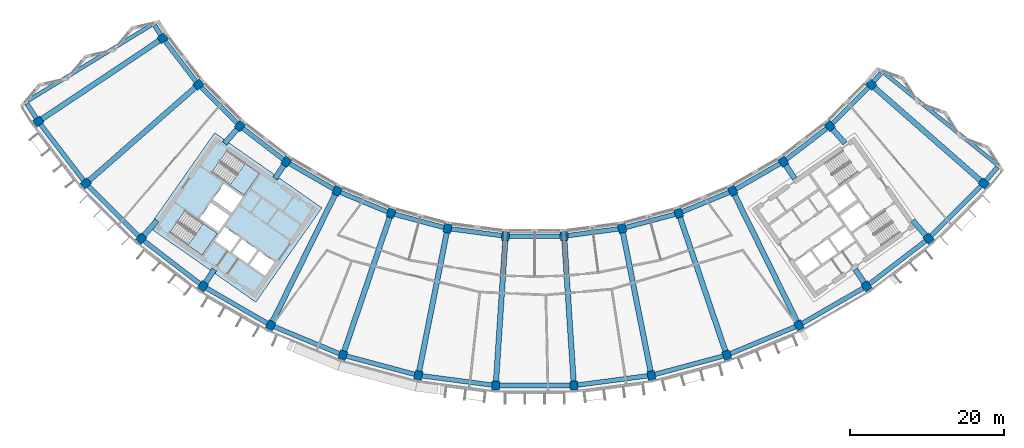
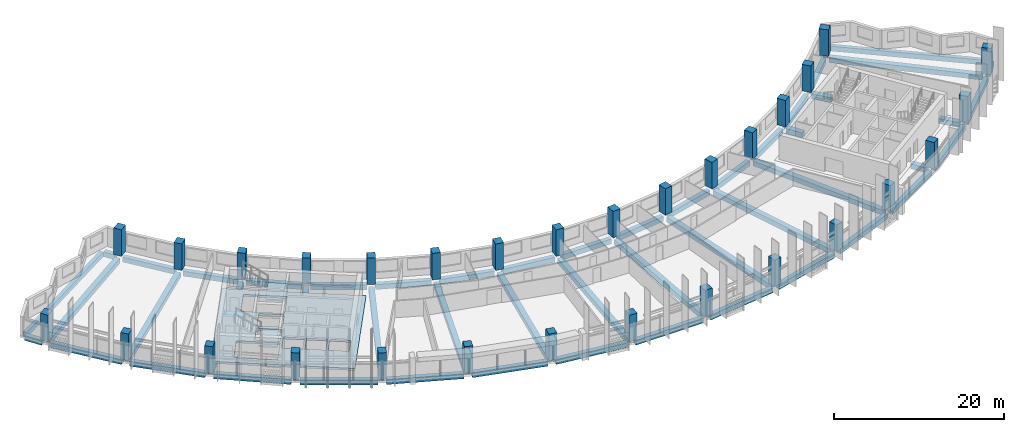
# One storey, part 1 of 28: 53 beams, 30 columns, 3 slabs, 2 elements without a shape of their own.
"""IFC4 building model written with IfcOpenShell, lengths in metres."""

from ifc_helpers import new_model, si_unit, direction, frame, origin, origin_2d, place, context, subcontext, project, spatial, polyline, rectangle, outline, extrude, material, layer, layer_set, material_profile, profile_set, type_object, element, aggregate, save


model = new_model("IFC4")

# Units and contexts
model_context = context("Model", 3, precision=1e-05, world=origin(), true_north=direction((0.0, 1.0)))
body_context = subcontext(model_context, "Body", "Model", "MODEL_VIEW")
ifc_project = project(units=[si_unit("LENGTHUNIT", "METRE"), si_unit("AREAUNIT", "SQUARE_METRE"), si_unit("VOLUMEUNIT", "CUBIC_METRE"), si_unit("PLANEANGLEUNIT", "RADIAN"), si_unit("MASSUNIT", "GRAM", prefix="KILO")], contexts=[model_context])

# Site, building, storey
site_placement = place(None, origin())
site = spatial("IfcSite", under=ifc_project, at=site_placement, CompositionType="ELEMENT")
building_placement = place(site_placement, origin())
building = spatial("IfcBuilding", under=site, at=building_placement, Name="Qamariyya Broadcast Tower", CompositionType="ELEMENT")
storey_placement = place(building_placement, frame((0.0, 0.0, 234.10009765625)))
storey = spatial("IfcBuildingStorey", under=building, at=storey_placement, Name="L56", CompositionType="ELEMENT", Elevation=234.10009765625)

# Columns
ifc_material_1 = material(Name="Concrete C60/75", Category="concrete")
ifc_material_profile_1 = material_profile(ifc_material_1, rectangle(XDim=1.0, YDim=1.14990234375, at=origin_2d()))
ifc_profile_set_1 = profile_set([ifc_material_profile_1], Name="Concrete C60/75")
column_type = type_object("IfcColumnType", Name="RC column 1000 x 1150 C60/75", PredefinedType="COLUMN", material=ifc_profile_set_1)
for number, where, z_axis, x_axis, name in (
    (1, (-48.43310546875, -32.362060546875, 0.0), (0.0, 0.0, 1.0), (0.55557023302, -0.831469612303, 0.0), "Column C11 L56 B-R03"),
    (2, (-64.646728515625, -43.195556640625, 0.0), (0.0, 0.0, 1.0), (0.55557023302, -0.831469612303, 0.0), "Column C11 L56 C-R03"),
    (3, (-43.794677734375, -38.406982421875, 0.0), (0.0, 0.0, 1.0), (0.6593458151, -0.751839807479, 0.0), "Column C11 L56 B-R04"),
    (4, (-58.45556640625, -51.26416015625, 0.0), (0.0, 0.0, 1.0), (0.6593458151, -0.751839807479, 0.0), "Column C11 L56 C-R04"),
    (5, (-38.406982421875, -43.794677734375, 0.0), (0.0, 0.0, 1.0), (0.751839807479, -0.6593458151, 0.0), "Column C11 L56 B-R05"),
    (6, (-51.26416015625, -58.45556640625, 0.0), (0.0, 0.0, 1.0), (0.751839807479, -0.6593458151, 0.0), "Column C11 L56 C-R05"),
    (7, (-32.362060546875, -48.43310546875, 0.0), (0.0, 0.0, 1.0), (0.831469612303, -0.55557023302, 0.0), "Column C11 L56 B-R06"),
    (8, (-43.195556640625, -64.646728515625, 0.0), (0.0, 0.0, 1.0), (0.831469612303, -0.55557023302, 0.0), "Column C11 L56 C-R06"),
    (9, (-25.763427734375, -52.242919921875, 0.0), (0.0, 0.0, 1.0), (0.896872741533, -0.442288690219, 0.0), "Column C11 L56 B-R07"),
    (10, (-34.387939453125, -69.73193359375, 0.0), (0.0, 0.0, 1.0), (0.896872741533, -0.442288690219, 0.0), "Column C11 L56 C-R07"),
    (11, (-18.723876953125, -55.15869140625, 0.0), (0.0, 0.0, 1.0), (0.946930129495, -0.321439465303, 0.0), "Column C11 L56 B-R08"),
    (12, (-24.991943359375, -73.623779296875, 0.0), (0.0, 0.0, 1.0), (0.946930129495, -0.321439465303, 0.0), "Column C11 L56 C-R08"),
    (13, (-11.364013671875, -57.130859375, 0.0), (0.0, 0.0, 1.0), (0.980785280403, -0.195090322016, 0.0), "Column C11 L56 B-R09"),
    (14, (-15.168212890625, -76.256103515625, 0.0), (0.0, 0.0, 1.0), (0.980785280403, -0.195090322016, 0.0), "Column C11 L56 C-R09"),
    (15, (-3.809814453125, -58.125244140625, 0.0), (0.0, 0.0, 1.0), (0.997858923239, -0.06540312923, 0.0), "Column C11 L56 B-R10"),
    (16, (-5.085205078125, -77.58349609375, 0.0), (0.0, 0.0, 1.0), (0.997858923239, -0.06540312923, 0.0), "Column C11 L56 C-R10"),
    (17, (3.809814453125, -58.125244140625, 0.0), (0.0, 0.0, 1.0), (0.997858923239, 0.06540312923, 0.0), "Column C11 L56 B-R11"),
    (18, (5.085205078125, -77.58349609375, 0.0), (0.0, 0.0, 1.0), (0.997858923239, 0.06540312923, 0.0), "Column C11 L56 C-R11"),
    (19, (11.364013671875, -57.130859375, 0.0), (0.0, 0.0, 1.0), (0.980785280403, 0.195090322016, 0.0), "Column C11 L56 B-R12"),
    (20, (15.168212890625, -76.256103515625, 0.0), (0.0, 0.0, 1.0), (0.980785280403, 0.195090322016, 0.0), "Column C11 L56 C-R12"),
    (21, (18.723876953125, -55.15869140625, 0.0), (0.0, 0.0, 1.0), (0.946930129495, 0.321439465303, 0.0), "Column C11 L56 B-R13"),
    (22, (24.991943359375, -73.623779296875, 0.0), (0.0, 0.0, 1.0), (0.946930129495, 0.321439465303, 0.0), "Column C11 L56 C-R13"),
    (23, (25.763427734375, -52.242919921875, 0.0), (0.0, 0.0, 1.0), (0.896872741533, 0.442288690219, 0.0), "Column C11 L56 B-R14"),
    (24, (34.387939453125, -69.73193359375, 0.0), (0.0, 0.0, 1.0), (0.896872741533, 0.442288690219, 0.0), "Column C11 L56 C-R14"),
    (25, (32.362060546875, -48.43310546875, 0.0), (0.0, 0.0, 1.0), (0.831469612303, 0.55557023302, 0.0), "Column C11 L56 B-R15"),
    (26, (43.195556640625, -64.646728515625, 0.0), (0.0, 0.0, 1.0), (0.831469612303, 0.55557023302, 0.0), "Column C11 L56 C-R15"),
    (27, (38.406982421875, -43.794677734375, 0.0), (0.0, 0.0, 1.0), (0.751839807479, 0.6593458151, 0.0), "Column C11 L56 B-R16"),
    (28, (51.26416015625, -58.45556640625, 0.0), (0.0, 0.0, 1.0), (0.751839807479, 0.6593458151, 0.0), "Column C11 L56 C-R16"),
    (29, (43.794677734375, -38.406982421875, 0.0), (0.0, 0.0, 1.0), (0.6593458151, 0.751839807479, 0.0), "Column C11 L56 B-R17"),
    (30, (58.45556640625, -51.26416015625, 0.0), (0.0, 0.0, 1.0), (0.6593458151, 0.751839807479, 0.0), "Column C11 L56 C-R17"),
):
    element("IfcColumn", number, at=place(storey_placement, frame(where, z_axis=z_axis, x_axis=x_axis)), inside=storey, type_object=column_type, Name=name, PredefinedType="COLUMN", context=body_context, shape_type="SweptSolid", body=[
        extrude(rectangle(XDim=1.0, YDim=1.14990234375, at=origin_2d()), origin(), (0.0, 0.0, 1.0), 3.7998046875),
    ])

# Beams
ifc_material_2 = material(Name="Concrete C40/50", Category="concrete")
ifc_material_profile_2 = material_profile(ifc_material_2, rectangle(XDim=0.60009765625, YDim=0.699951171875, at=origin_2d()))
ifc_profile_set_2 = profile_set([ifc_material_profile_2], Name="Concrete C40/50")
beam_type_1 = type_object("IfcBeamType", Name="RC edge beam 600 x 700 C40/50", PredefinedType="SPANDREL", material=ifc_profile_set_2)
for number, where, z_axis, x_axis, name in (
    (31, (-48.128173828125, -32.759521484375, -0.650146484375), (0.608788546151, -0.79333253184, 0.0), (0.79333253184, 0.608788546151, 0.0), "Edge beam B20 L56 B R03-R04"),
    (32, (-43.4404296875, -38.76123046875, -0.650146484375), (0.707106781187, -0.707106781187, 0.0), (0.707106781187, 0.707106781187, 0.0), "Edge beam B20 L56 B R04-R05"),
    (33, (-38.00927734375, -44.099609375, -0.650146484375), (0.79333253184, -0.608788546151, 0.0), (0.608788546151, 0.79333253184, 0.0), "Edge beam B20 L56 B R05-R06"),
):
    element("IfcBeam", number, at=place(storey_placement, frame(where, z_axis=z_axis, x_axis=x_axis)), inside=storey, type_object=beam_type_1, Name=name, PredefinedType="SPANDREL", context=body_context, shape_type="SweptSolid", body=[
        extrude(rectangle(XDim=0.60009765625, YDim=0.699951171875, at=origin_2d()), origin(), (0.0, 0.0, 1.0), 6.617431640625),
    ])
for number, where, z_axis, x_axis, name in (
    (34, (-31.927978515625, -48.68359375, -0.650146484375), (0.866027686223, -0.499996046679, 0.0), (0.499996046679, 0.866027686223, 0.0), "Edge beam B20 L56 B R06-R07"),
    (35, (-25.30029296875, -52.4345703125, -0.650146484375), (0.923870685948, -0.382704789159, 0.0), (0.382704789159, 0.923870685948, 0.0), "Edge beam B20 L56 B R07-R08"),
):
    element("IfcBeam", number, at=place(storey_placement, frame(where, z_axis=z_axis, x_axis=x_axis)), inside=storey, type_object=beam_type_1, Name=name, PredefinedType="SPANDREL", context=body_context, shape_type="SweptSolid", body=[
        extrude(rectangle(XDim=0.60009765625, YDim=0.699951171875, at=origin_2d()), origin(), (0.0, 0.0, 1.0), 6.6171875),
    ])
for number, where, z_axis, x_axis, name in (
    (36, (-18.23974609375, -55.288330078125, -0.650146484375), (0.965927466282, -0.258812924486, 0.0), (0.258812924486, 0.965927466282, 0.0), "Edge beam B20 L56 B R08-R09"),
    (37, (-10.8671875, -57.196044921875, -0.650146484375), (0.991444372314, -0.130529906942, 0.0), (0.130529906942, 0.991444372314, 0.0), "Edge beam B20 L56 B R09-R10"),
):
    element("IfcBeam", number, at=place(storey_placement, frame(where, z_axis=z_axis, x_axis=x_axis)), inside=storey, type_object=beam_type_1, Name=name, PredefinedType="SPANDREL", context=body_context, shape_type="SweptSolid", body=[
        extrude(rectangle(XDim=0.60009765625, YDim=0.699951171875, at=origin_2d()), origin(), (0.0, 0.0, 1.0), 6.617431640625),
    ])
beam_1_placement = place(storey_placement, frame((-3.30859375, -58.125244140625, -0.650146484375), z_axis=(1.0, 0.0, 0.0), x_axis=(0.0, 1.0, 0.0)))
element("IfcBeam", 38, at=beam_1_placement, inside=storey, type_object=beam_type_1, Name="Edge beam B20 L56 B R10-R11", PredefinedType="SPANDREL", context=body_context, shape_type="SweptSolid", body=[
    extrude(rectangle(XDim=0.60009765625, YDim=0.699951171875, at=origin_2d()), origin(), (0.0, 0.0, 1.0), 6.6171875),
])
for number, where, z_axis, x_axis, name in (
    (39, (4.306396484375, -58.059814453125, -0.650146484375), (0.991444372314, 0.130529906942, 0.0), (-0.130529906942, 0.991444372314, 0.0), "Edge beam B20 L56 B R11-R12"),
    (40, (11.847900390625, -57.0009765625, -0.650146484375), (0.965927466282, 0.258812924486, 0.0), (-0.258812924486, 0.965927466282, 0.0), "Edge beam B20 L56 B R12-R13"),
):
    element("IfcBeam", number, at=place(storey_placement, frame(where, z_axis=z_axis, x_axis=x_axis)), inside=storey, type_object=beam_type_1, Name=name, PredefinedType="SPANDREL", context=body_context, shape_type="SweptSolid", body=[
        extrude(rectangle(XDim=0.60009765625, YDim=0.699951171875, at=origin_2d()), origin(), (0.0, 0.0, 1.0), 6.617431640625),
    ])
for number, where, z_axis, x_axis, name in (
    (41, (19.186767578125, -54.967041015625, -0.650146484375), (0.923870685948, 0.382704789159, 0.0), (-0.382704789159, 0.923870685948, 0.0), "Edge beam B20 L56 B R13-R14"),
    (42, (26.197265625, -51.9921875, -0.650146484375), (0.866027686223, 0.499996046679, 0.0), (-0.499996046679, 0.866027686223, 0.0), "Edge beam B20 L56 B R14-R15"),
):
    element("IfcBeam", number, at=place(storey_placement, frame(where, z_axis=z_axis, x_axis=x_axis)), inside=storey, type_object=beam_type_1, Name=name, PredefinedType="SPANDREL", context=body_context, shape_type="SweptSolid", body=[
        extrude(rectangle(XDim=0.60009765625, YDim=0.699951171875, at=origin_2d()), origin(), (0.0, 0.0, 1.0), 6.6171875),
    ])
for number, where, z_axis, x_axis, name in (
    (43, (32.759521484375, -48.128173828125, -0.650146484375), (0.79333253184, 0.608788546151, 0.0), (-0.608788546151, 0.79333253184, 0.0), "Edge beam B20 L56 B R15-R16"),
    (44, (38.76123046875, -43.4404296875, -0.650146484375), (0.707106781187, 0.707106781187, 0.0), (-0.707106781187, 0.707106781187, 0.0), "Edge beam B20 L56 B R16-R17"),
):
    element("IfcBeam", number, at=place(storey_placement, frame(where, z_axis=z_axis, x_axis=x_axis)), inside=storey, type_object=beam_type_1, Name=name, PredefinedType="SPANDREL", context=body_context, shape_type="SweptSolid", body=[
        extrude(rectangle(XDim=0.60009765625, YDim=0.699951171875, at=origin_2d()), origin(), (0.0, 0.0, 1.0), 6.617431640625),
    ])
for number, where, z_axis, x_axis, name in (
    (45, (-64.341796875, -43.593017578125, -0.650146484375), (0.608761882331, -0.793352992445, 0.0), (0.793352992445, 0.608761882331, 0.0), "Edge beam B20 L56 C R03-R04"),
    (46, (-58.101318359375, -51.618408203125, -0.650146484375), (0.707106781187, -0.707106781187, 0.0), (0.707106781187, 0.707106781187, 0.0), "Edge beam B20 L56 C R04-R05"),
    (47, (-50.86669921875, -58.760498046875, -0.650146484375), (0.793352992445, -0.608761882331, 0.0), (0.608761882331, 0.793352992445, 0.0), "Edge beam B20 L56 C R05-R06"),
    (48, (-42.76171875, -64.897216796875, -0.650146484375), (0.866032154434, -0.49998830735, 0.0), (0.49998830735, 0.866032154434, 0.0), "Edge beam B20 L56 C R06-R07"),
    (49, (-33.925048828125, -69.923583984375, -0.650146484375), (0.923876946533, -0.382689675409, 0.0), (0.382689675409, 0.923876946533, 0.0), "Edge beam B20 L56 C R07-R08"),
):
    element("IfcBeam", number, at=place(storey_placement, frame(where, z_axis=z_axis, x_axis=x_axis)), inside=storey, type_object=beam_type_1, Name=name, PredefinedType="SPANDREL", context=body_context, shape_type="SweptSolid", body=[
        extrude(rectangle(XDim=0.60009765625, YDim=0.699951171875, at=origin_2d()), origin(), (0.0, 0.0, 1.0), 9.168212890625),
    ])
for number, where, z_axis, x_axis, name in (
    (50, (-24.5078125, -73.75341796875, -0.650146484375), (0.965919522093, -0.258842571536, 0.0), (0.258842571536, 0.965919522093, 0.0), "Edge beam B20 L56 C R08-R09"),
    (51, (-14.67138671875, -76.321533203125, -0.650146484375), (0.991446770895, -0.130511687147, 0.0), (0.130511687147, 0.991446770895, 0.0), "Edge beam B20 L56 C R09-R10"),
    (52, (-4.583984375, -77.58349609375, -0.650146484375), (1.0, 0.0, 0.0), (0.0, 1.0, 0.0), "Edge beam B20 L56 C R10-R11"),
    (53, (5.581787109375, -77.51806640625, -0.650146484375), (0.991446770895, 0.130511687147, 0.0), (-0.130511687147, 0.991446770895, 0.0), "Edge beam B20 L56 C R11-R12"),
    (54, (15.65234375, -76.12646484375, -0.650146484375), (0.965919522093, 0.258842571536, 0.0), (-0.258842571536, 0.965919522093, 0.0), "Edge beam B20 L56 C R12-R13"),
):
    element("IfcBeam", number, at=place(storey_placement, frame(where, z_axis=z_axis, x_axis=x_axis)), inside=storey, type_object=beam_type_1, Name=name, PredefinedType="SPANDREL", context=body_context, shape_type="SweptSolid", body=[
        extrude(rectangle(XDim=0.60009765625, YDim=0.699951171875, at=origin_2d()), origin(), (0.0, 0.0, 1.0), 9.16796875),
    ])
for number, where, z_axis, x_axis, name in (
    (55, (25.454833984375, -73.43212890625, -0.650146484375), (0.923876946533, 0.382689675409, 0.0), (-0.382689675409, 0.923876946533, 0.0), "Edge beam B20 L56 C R13-R14"),
    (56, (34.82177734375, -69.481201171875, -0.650146484375), (0.866032154434, 0.49998830735, 0.0), (-0.49998830735, 0.866032154434, 0.0), "Edge beam B20 L56 C R14-R15"),
    (57, (43.593017578125, -64.341796875, -0.650146484375), (0.793352992445, 0.608761882331, 0.0), (-0.608761882331, 0.793352992445, 0.0), "Edge beam B20 L56 C R15-R16"),
    (58, (51.618408203125, -58.101318359375, -0.650146484375), (0.707106781187, 0.707106781187, 0.0), (-0.707106781187, 0.707106781187, 0.0), "Edge beam B20 L56 C R16-R17"),
):
    element("IfcBeam", number, at=place(storey_placement, frame(where, z_axis=z_axis, x_axis=x_axis)), inside=storey, type_object=beam_type_1, Name=name, PredefinedType="SPANDREL", context=body_context, shape_type="SweptSolid", body=[
        extrude(rectangle(XDim=0.60009765625, YDim=0.699951171875, at=origin_2d()), origin(), (0.0, 0.0, 1.0), 9.168212890625),
    ])
ifc_material_profile_3 = material_profile(ifc_material_2, rectangle(XDim=0.60009765625, YDim=0.699951171875, at=origin_2d()))
ifc_profile_set_3 = profile_set([ifc_material_profile_3], Name="Concrete C40/50")
beam_type_2 = type_object("IfcBeamType", Name="RC horn beam 600 x 700 C40/50", PredefinedType="BEAM", material=ifc_profile_set_3)
beam_2_placement = place(storey_placement, frame((-48.702880859375, -31.94091796875, -0.650146484375), z_axis=(-0.539372815535, 0.842067079194, 0.0), x_axis=(-0.842067079194, -0.539372815535, 0.0)))
element("IfcBeam", 59, at=beam_2_placement, inside=storey, type_object=beam_type_2, Name="Horn beam B19 L56 W B-R03", PredefinedType="BEAM", context=body_context, shape_type="SweptSolid", body=[
    extrude(rectangle(XDim=0.60009765625, YDim=0.699951171875, at=origin_2d()), origin(), (0.0, 0.0, 1.0), 1.497802734375),
])
beam_3_placement = place(storey_placement, frame((-64.91650390625, -42.7744140625, -0.650146484375), z_axis=(-0.539484688224, 0.841995410422, 0.0), x_axis=(-0.841995410422, -0.539484688224, 0.0)))
element("IfcBeam", 60, at=beam_3_placement, inside=storey, type_object=beam_type_2, Name="Horn beam B19 L56 W C-R03", PredefinedType="BEAM", context=body_context, shape_type="SweptSolid", body=[
    extrude(rectangle(XDim=0.60009765625, YDim=0.699951171875, at=origin_2d()), origin(), (0.0, 0.0, 1.0), 2.25),
])
beam_4_placement = place(storey_placement, frame((44.1171875, -38.024658203125, -0.650146484375), z_axis=(0.644662633085, 0.764467193216, 0.0), x_axis=(-0.764467193216, 0.644662633085, 0.0)))
element("IfcBeam", 61, at=beam_4_placement, inside=storey, type_object=beam_type_2, Name="Horn beam B19 L56 E B-R17", PredefinedType="BEAM", context=body_context, shape_type="SweptSolid", body=[
    extrude(rectangle(XDim=0.60009765625, YDim=0.699951171875, at=origin_2d()), origin(), (0.0, 0.0, 1.0), 1.497802734375),
])
beam_5_placement = place(storey_placement, frame((58.778076171875, -50.8818359375, -0.650146484375), z_axis=(0.644730300279, 0.764410125457, 0.0), x_axis=(-0.764410125457, 0.644730300279, 0.0)))
element("IfcBeam", 62, at=beam_5_placement, inside=storey, type_object=beam_type_2, Name="Horn beam B19 L56 E C-R17", PredefinedType="BEAM", context=body_context, shape_type="SweptSolid", body=[
    extrude(rectangle(XDim=0.60009765625, YDim=0.699951171875, at=origin_2d()), origin(), (0.0, 0.0, 1.0), 2.25),
])
ifc_material_profile_4 = material_profile(ifc_material_2, rectangle(XDim=0.5, YDim=0.699951171875, at=origin_2d()))
ifc_profile_set_4 = profile_set([ifc_material_profile_4], Name="Concrete C40/50")
beam_type_3 = type_object("IfcBeamType", Name="RC horn cap beam 500 x 700 C40/50", PredefinedType="BEAM", material=ifc_profile_set_4)
for number, where, z_axis, x_axis, name in (
    (63, (-49.9013671875, -30.626220703125, -0.650146484375), (-0.852283072171, -0.523080839729, 0.0), (0.523080839729, -0.852283072171, 0.0), "Horn cap beam B21 L56 W B-C"),
    (64, (45.476806640625, -36.877685546875, -0.650146484375), (0.776719368779, -0.629846824366, 0.0), (0.629846824366, 0.776719368779, 0.0), "Horn cap beam B21 L56 E B-C"),
):
    element("IfcBeam", number, at=place(storey_placement, frame(where, z_axis=z_axis, x_axis=x_axis)), inside=storey, type_object=beam_type_3, Name=name, PredefinedType="BEAM", context=body_context, shape_type="SweptSolid", body=[
        extrude(rectangle(XDim=0.5, YDim=0.699951171875, at=origin_2d()), origin(), (0.0, 0.0, 1.0), 18.89990234375),
    ])
ifc_material_profile_5 = material_profile(ifc_material_2, rectangle(XDim=0.699951171875, YDim=0.699951171875, at=origin_2d()))
ifc_profile_set_5 = profile_set([ifc_material_profile_5], Name="Concrete C40/50")
beam_type_4 = type_object("IfcBeamType", Name="RC radial beam 700 x 700 C40/50", PredefinedType="BEAM", material=ifc_profile_set_5)
beam_6_placement = place(storey_placement, frame((-48.9111328125, -32.681396484375, -0.650146484375), z_axis=(-0.831468530479, -0.55557185208, 0.0), x_axis=(0.55557185208, -0.831468530479, 0.0)))
element("IfcBeam", 65, at=beam_6_placement, inside=storey, type_object=beam_type_4, Name="Radial beam B18 L56 R03 B-C", PredefinedType="BEAM", context=body_context, shape_type="SweptSolid", body=[
    extrude(rectangle(XDim=0.699951171875, YDim=0.699951171875, at=origin_2d()), origin(), (0.0, 0.0, 1.0), 18.35009765625),
])
beam_7_placement = place(storey_placement, frame((-44.22705078125, -38.7861328125, -0.650146484375), z_axis=(-0.751840222646, -0.659345341692, 0.0), x_axis=(0.659345341692, -0.751840222646, 0.0)))
element("IfcBeam", 66, at=beam_7_placement, inside=storey, type_object=beam_type_4, Name="Radial beam B18 L56 R04 B-C", PredefinedType="BEAM", context=body_context, shape_type="SweptSolid", body=[
    extrude(rectangle(XDim=0.699951171875, YDim=0.699951171875, at=origin_2d()), origin(), (0.0, 0.0, 1.0), 18.349853515625),
])
beam_8_placement = place(storey_placement, frame((-38.7861328125, -44.22705078125, -0.650146484375), z_axis=(-0.659347500472, -0.751838329444, 0.0), x_axis=(0.751838329444, -0.659347500472, 0.0)))
element("IfcBeam", 67, at=beam_8_placement, inside=storey, type_object=beam_type_4, Name="Radial beam B18 L56 R05 B-C", PredefinedType="BEAM", context=body_context, shape_type="SweptSolid", body=[
    extrude(rectangle(XDim=0.699951171875, YDim=0.699951171875, at=origin_2d()), origin(), (0.0, 0.0, 1.0), 2.43896484375),
])
beam_9_placement = place(storey_placement, frame((-49.1943359375, -56.095458984375, -0.650146484375), z_axis=(-0.65936701245, -0.751821217373, 0.0), x_axis=(0.751821217373, -0.65936701245, 0.0)))
element("IfcBeam", 68, at=beam_9_placement, inside=storey, type_object=beam_type_4, Name="Radial beam B18 L56 R05 B-C", PredefinedType="BEAM", context=body_context, shape_type="SweptSolid", body=[
    extrude(rectangle(XDim=0.699951171875, YDim=0.699951171875, at=origin_2d()), origin(), (0.0, 0.0, 1.0), 2.56396484375),
])
beam_10_placement = place(storey_placement, frame((-32.681396484375, -48.9111328125, -0.650146484375), z_axis=(-0.555589685374, -0.831456614326, 0.0), x_axis=(0.831456614326, -0.555589685374, 0.0)))
element("IfcBeam", 69, at=beam_10_placement, inside=storey, type_object=beam_type_4, Name="Radial beam B18 L56 R06 B-C", PredefinedType="BEAM", context=body_context, shape_type="SweptSolid", body=[
    extrude(rectangle(XDim=0.699951171875, YDim=0.699951171875, at=origin_2d()), origin(), (0.0, 0.0, 1.0), 2.08935546875),
])
beam_11_placement = place(storey_placement, frame((-41.733154296875, -62.458251953125, -0.650146484375), z_axis=(-0.555630982199, -0.831429017788, 0.0), x_axis=(0.831429017788, -0.555630982199, 0.0)))
element("IfcBeam", 70, at=beam_11_placement, inside=storey, type_object=beam_type_4, Name="Radial beam B18 L56 R06 B-C", PredefinedType="BEAM", context=body_context, shape_type="SweptSolid", body=[
    extrude(rectangle(XDim=0.699951171875, YDim=0.699951171875, at=origin_2d()), origin(), (0.0, 0.0, 1.0), 2.05712890625),
])
beam_12_placement = place(storey_placement, frame((-26.017578125, -52.758544921875, -0.650146484375), z_axis=(-0.442289405452, -0.896872388819, 0.0), x_axis=(0.896872388819, -0.442289405452, 0.0)))
element("IfcBeam", 71, at=beam_12_placement, inside=storey, type_object=beam_type_4, Name="Radial beam B18 L56 R07 B-C", PredefinedType="BEAM", context=body_context, shape_type="SweptSolid", body=[
    extrude(rectangle(XDim=0.699951171875, YDim=0.699951171875, at=origin_2d()), origin(), (0.0, 0.0, 1.0), 18.349853515625),
])
for number, where, z_axis, x_axis, name in (
    (72, (-18.90869140625, -55.703125, -0.650146484375), (-0.321439728167, -0.946930040265, 0.0), (0.946930040265, -0.321439728167, 0.0), "Radial beam B18 L56 R08 B-C"),
    (73, (-11.47607421875, -57.694580078125, -0.650146484375), (-0.195097720648, -0.980783808695, 0.0), (0.980783808695, -0.195097720648, 0.0), "Radial beam B18 L56 R09 B-C"),
    (74, (-3.847412109375, -58.698974609375, -0.650146484375), (-0.065405444204, -0.997858771505, 0.0), (0.997858771505, -0.065405444204, 0.0), "Radial beam B18 L56 R10 B-C"),
    (75, (3.847412109375, -58.698974609375, -0.650146484375), (0.065405444204, -0.997858771505, 0.0), (0.997858771505, 0.065405444204, 0.0), "Radial beam B18 L56 R11 B-C"),
    (76, (11.47607421875, -57.694580078125, -0.650146484375), (0.195097720648, -0.980783808695, 0.0), (0.980783808695, 0.195097720648, 0.0), "Radial beam B18 L56 R12 B-C"),
    (77, (18.90869140625, -55.703125, -0.650146484375), (0.321439728167, -0.946930040265, 0.0), (0.946930040265, 0.321439728167, 0.0), "Radial beam B18 L56 R13 B-C"),
):
    element("IfcBeam", number, at=place(storey_placement, frame(where, z_axis=z_axis, x_axis=x_axis)), inside=storey, type_object=beam_type_4, Name=name, PredefinedType="BEAM", context=body_context, shape_type="SweptSolid", body=[
        extrude(rectangle(XDim=0.699951171875, YDim=0.699951171875, at=origin_2d()), origin(), (0.0, 0.0, 1.0), 18.35009765625),
    ])
beam_13_placement = place(storey_placement, frame((26.017578125, -52.758544921875, -0.650146484375), z_axis=(0.442289405452, -0.896872388819, 0.0), x_axis=(0.896872388819, 0.442289405452, 0.0)))
element("IfcBeam", 78, at=beam_13_placement, inside=storey, type_object=beam_type_4, Name="Radial beam B18 L56 R14 B-C", PredefinedType="BEAM", context=body_context, shape_type="SweptSolid", body=[
    extrude(rectangle(XDim=0.699951171875, YDim=0.699951171875, at=origin_2d()), origin(), (0.0, 0.0, 1.0), 18.349853515625),
])
beam_14_placement = place(storey_placement, frame((32.681396484375, -48.9111328125, -0.650146484375), z_axis=(0.555589685374, -0.831456614326, 0.0), x_axis=(0.831456614326, 0.555589685374, 0.0)))
element("IfcBeam", 79, at=beam_14_placement, inside=storey, type_object=beam_type_4, Name="Radial beam B18 L56 R15 B-C", PredefinedType="BEAM", context=body_context, shape_type="SweptSolid", body=[
    extrude(rectangle(XDim=0.699951171875, YDim=0.699951171875, at=origin_2d()), origin(), (0.0, 0.0, 1.0), 2.08935546875),
])
beam_15_placement = place(storey_placement, frame((41.733154296875, -62.458251953125, -0.650146484375), z_axis=(0.555630982199, -0.831429017788, 0.0), x_axis=(0.831429017788, 0.555630982199, 0.0)))
element("IfcBeam", 80, at=beam_15_placement, inside=storey, type_object=beam_type_4, Name="Radial beam B18 L56 R15 B-C", PredefinedType="BEAM", context=body_context, shape_type="SweptSolid", body=[
    extrude(rectangle(XDim=0.699951171875, YDim=0.699951171875, at=origin_2d()), origin(), (0.0, 0.0, 1.0), 2.05712890625),
])
beam_16_placement = place(storey_placement, frame((38.7861328125, -44.22705078125, -0.650146484375), z_axis=(0.659347500472, -0.751838329444, 0.0), x_axis=(0.751838329444, 0.659347500472, 0.0)))
element("IfcBeam", 81, at=beam_16_placement, inside=storey, type_object=beam_type_4, Name="Radial beam B18 L56 R16 B-C", PredefinedType="BEAM", context=body_context, shape_type="SweptSolid", body=[
    extrude(rectangle(XDim=0.699951171875, YDim=0.699951171875, at=origin_2d()), origin(), (0.0, 0.0, 1.0), 2.43896484375),
])
beam_17_placement = place(storey_placement, frame((49.1943359375, -56.095458984375, -0.650146484375), z_axis=(0.65936701245, -0.751821217373, 0.0), x_axis=(0.751821217373, 0.65936701245, 0.0)))
element("IfcBeam", 82, at=beam_17_placement, inside=storey, type_object=beam_type_4, Name="Radial beam B18 L56 R16 B-C", PredefinedType="BEAM", context=body_context, shape_type="SweptSolid", body=[
    extrude(rectangle(XDim=0.699951171875, YDim=0.699951171875, at=origin_2d()), origin(), (0.0, 0.0, 1.0), 2.56396484375),
])
beam_18_placement = place(storey_placement, frame((44.22705078125, -38.7861328125, -0.650146484375), z_axis=(0.751840222646, -0.659345341692, 0.0), x_axis=(0.659345341692, 0.751840222646, 0.0)))
element("IfcBeam", 83, at=beam_18_placement, inside=storey, type_object=beam_type_4, Name="Radial beam B18 L56 R17 B-C", PredefinedType="BEAM", context=body_context, shape_type="SweptSolid", body=[
    extrude(rectangle(XDim=0.699951171875, YDim=0.699951171875, at=origin_2d()), origin(), (0.0, 0.0, 1.0), 18.349853515625),
])

# Slab
ifc_layer_1 = layer(ifc_material_2, 0.300048828125)
ifc_layer_set_1 = layer_set([ifc_layer_1], Name="Core floor slab 300 mm Concrete C40/50")
slab_type_1 = type_object("IfcSlabType", Name="Core floor slab 300 mm Concrete C40/50", PredefinedType="FLOOR", material=ifc_layer_set_1)
slab_1_placement = place(storey_placement, frame((0.0, 0.0, -0.300048828125)))
element("IfcSlab", 84, at=slab_1_placement, inside=storey, type_object=slab_type_1, Name="k-W-L56-slab", PredefinedType="FLOOR", context=body_context, shape_type="SweptSolid", body=[
    extrude(outline(polyline([(-50.286376953125, -56.95751953125), (-36.32373046875, -66.734375), (-27.719970703125, -54.447021484375), (-41.6826171875, -44.67041015625), (-50.286376953125, -56.95751953125)]), holes=[polyline([(-33.87353515625, -61.49169921875), (-35.88037109375, -60.08642578125), (-37.142333984375, -61.888427734375), (-35.13525390625, -63.293701171875), (-33.87353515625, -61.49169921875)]), polyline([(-36.126220703125, -59.914306640625), (-38.133056640625, -58.509033203125), (-39.394775390625, -60.311279296875), (-37.387939453125, -61.716552734375), (-36.126220703125, -59.914306640625)]), polyline([(-38.378662109375, -58.3369140625), (-40.3857421875, -56.931640625), (-41.6474609375, -58.73388671875), (-39.640625, -60.13916015625), (-38.378662109375, -58.3369140625)]), polyline([(-39.742431640625, -55.489990234375), (-42.199951171875, -53.769287109375), (-43.6337890625, -55.817138671875), (-41.17626953125, -57.537841796875), (-39.742431640625, -55.489990234375)]), polyline([(-39.45556640625, -55.080322265625), (-41.9130859375, -53.359619140625), (-40.47900390625, -51.311767578125), (-38.021728515625, -53.032470703125), (-39.45556640625, -55.080322265625)]), polyline([(-42.06103515625, -49.837890625), (-37.849609375, -52.78662109375), (-35.870849609375, -49.960693359375), (-40.082275390625, -47.01171875), (-42.06103515625, -49.837890625)]), polyline([(-47.538818359375, -57.66064453125), (-43.3271484375, -60.609619140625), (-41.348388671875, -57.783447265625), (-45.559814453125, -54.834716796875), (-47.538818359375, -57.66064453125)])]), origin(), (0.0, 0.0, 1.0), 0.300048828125),
])

# Stair, slab
ifc_material_3 = material(Name="Concrete C50/60", Category="concrete")
stair_type = type_object("IfcStairType", Name="Exit stair 22 risers of 173 mm", PredefinedType="HALF_TURN_STAIR", material=ifc_material_3)
stair_1_placement = place(storey_placement, origin())
stair_1 = element("IfcStair", 85, at=stair_1_placement, inside=storey, type_object=stair_type, Name="L56 Stair W2", PredefinedType="HALF_TURN_STAIR")
ifc_layer_2 = layer(ifc_material_3, 0.199951171875)
ifc_layer_set_2 = layer_set([ifc_layer_2], Name="Stair landing")
slab_type_2 = type_object("IfcSlabType", Name="Stair landing", PredefinedType="LANDING", material=ifc_layer_set_2)
slab_2_placement = place(storey_placement, frame((0.0, 0.0, 1.699951171875)))
slab_2 = element("IfcSlab", 86, at=slab_2_placement, type_object=slab_type_2, Name="ST-W2 landing 1", PredefinedType="LANDING", context=body_context, shape_type="SweptSolid", body=[
    extrude(outline(polyline([(-39.692138671875, -51.49658203125), (-37.849609375, -52.78662109375), (-35.870849609375, -49.960693359375), (-37.71337890625, -48.67041015625), (-39.692138671875, -51.49658203125)])), origin(), (0.0, 0.0, 1.0), 0.199951171875),
])
aggregate(stair_1, [slab_2])

stair_2_placement = place(storey_placement, origin())
stair_2 = element("IfcStair", 87, at=stair_2_placement, inside=storey, type_object=stair_type, Name="L56 Stair W1", PredefinedType="HALF_TURN_STAIR")
slab_3_placement = place(storey_placement, frame((0.0, 0.0, 1.699951171875)))
slab_3 = element("IfcSlab", 88, at=slab_3_placement, type_object=slab_type_2, Name="ST-W1 landing 1", PredefinedType="LANDING", context=body_context, shape_type="SweptSolid", body=[
    extrude(outline(polyline([(-45.169677734375, -59.319580078125), (-43.3271484375, -60.609619140625), (-41.348388671875, -57.783447265625), (-43.19091796875, -56.493408203125), (-45.169677734375, -59.319580078125)])), origin(), (0.0, 0.0, 1.0), 0.199951171875),
])
aggregate(stair_2, [slab_3])

save(model, "model.ifc")
